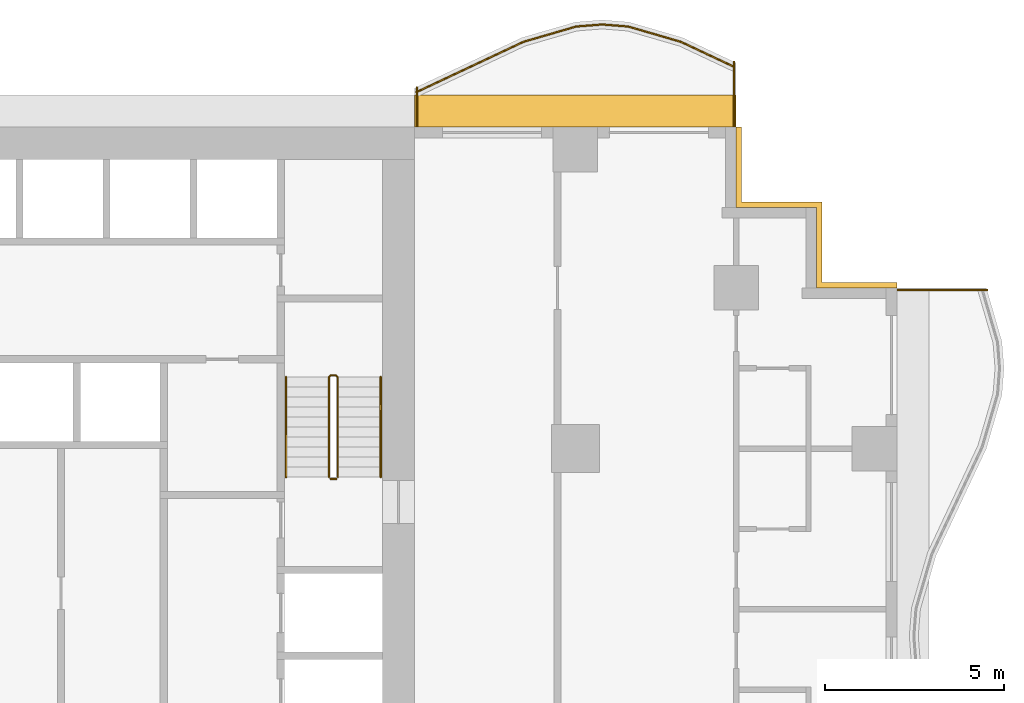
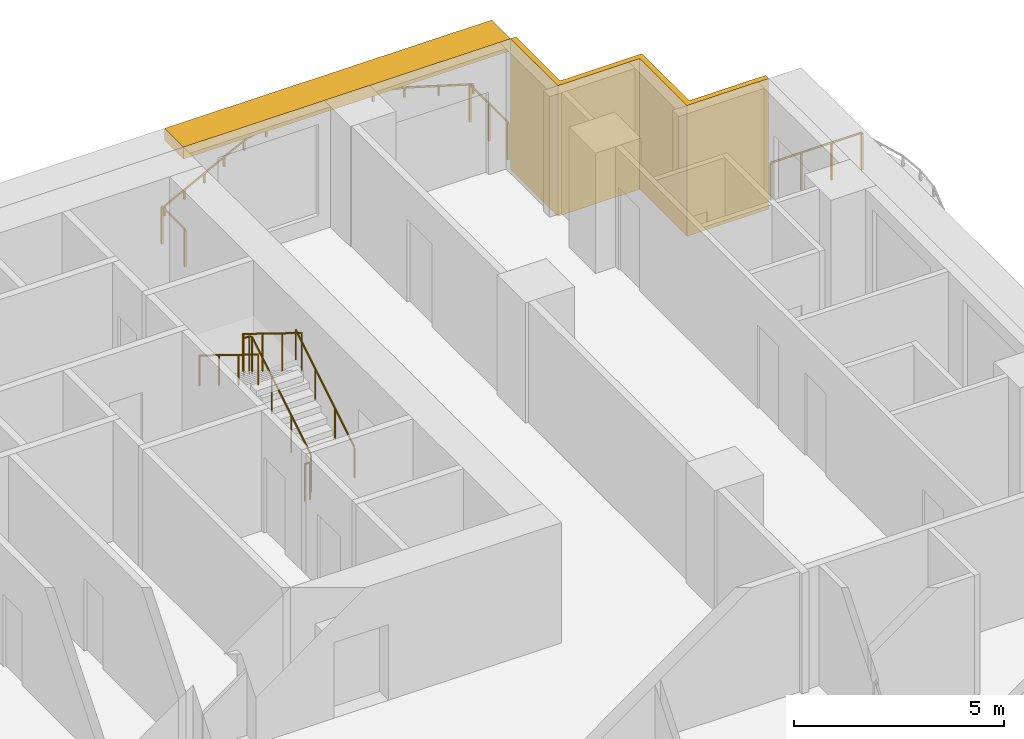
# One storey, part 14 of 14: 8 railings, 2 shading devices.
"""IFC4 building model written with IfcOpenShell, lengths in metres."""

from ifc_helpers import new_model, si_unit, direction, frame, origin, origin_2d, place, context, subcontext, project, spatial, polyline, rectangle, circle, outline, extrude, material, layer, layer_set, type_object, element, save


model = new_model("IFC4")

# Units and contexts
model_context = context("Model", 3, precision=1e-05, world=origin(), true_north=direction((0.0, 1.0)))
body_context = subcontext(model_context, "Body", "Model", "MODEL_VIEW")
ifc_project = project(units=[si_unit("LENGTHUNIT", "METRE"), si_unit("AREAUNIT", "SQUARE_METRE"), si_unit("VOLUMEUNIT", "CUBIC_METRE"), si_unit("PLANEANGLEUNIT", "RADIAN"), si_unit("MASSUNIT", "GRAM", prefix="KILO")], contexts=[model_context])

# Site, building, storey
site_placement = place(None, origin())
site = spatial("IfcSite", under=ifc_project, at=site_placement, CompositionType="ELEMENT")
building_placement = place(site_placement, origin())
building = spatial("IfcBuilding", under=site, at=building_placement, Name="Orbiselva Terraces", CompositionType="ELEMENT")
storey_placement = place(building_placement, frame((0.0, 0.0, 107.4)))
storey = spatial("IfcBuildingStorey", under=building, at=storey_placement, Name="L27", CompositionType="ELEMENT", Elevation=107.4)

# Railings
ifc_material_1 = material(Name="Stainless steel", Category="steel")
railing_type_1 = type_object("IfcRailingType", Name="CORE-GUARD-1100", PredefinedType="GUARDRAIL", material=ifc_material_1)
railing_1_placement = place(storey_placement, frame((11.35, 12.7, 0.172727)))
element("IfcRailing", 1, at=railing_1_placement, inside=storey, type_object=railing_type_1, Name="L27 S2 stair guard 1", PredefinedType="GUARDRAIL", context=body_context, shape_type="SweptSolid", body=[
    extrude(circle(Radius=0.024, at=origin_2d()), frame((0.0, 0.0, 1.081), z_axis=(0.0, 0.851088519012, 0.52502222125), x_axis=(-1.0, 0.0, 0.0)), (0.0, 0.0, 1.0), 3.289905),
    extrude(circle(Radius=0.024, at=origin_2d()), frame((0.0, 2.8, 2.808273), z_axis=(-0.707106781187, 0.707106781187, 0.0), x_axis=(-0.707106781187, -0.707106781187, 0.0)), (0.0, 0.0, 1.0), 0.070711),
    extrude(circle(Radius=0.024, at=origin_2d()), frame((-0.05, 2.85, 2.808273), z_axis=(-1.0, 0.0, 0.0), x_axis=(0.0, -1.0, 0.0)), (0.0, 0.0, 1.0), 0.15),
    extrude(circle(Radius=0.024, at=origin_2d()), frame((-0.2, 2.85, 2.808273), z_axis=(-0.267894925557, -0.267894925557, 0.925453736133), x_axis=(0.707106781187, -0.707106781187, 0.0)), (0.0, 0.0, 1.0), 0.18664),
    extrude(circle(Radius=0.024, at=origin_2d()), frame((-0.25, 2.8, 2.981), z_axis=(0.0, -0.851088519012, 0.52502222125), x_axis=(1.0, 0.0, 0.0)), (0.0, 0.0, 1.0), 3.289905),
    extrude(circle(Radius=0.021, at=origin_2d()), origin(), (0.0, 0.0, 1.0), 1.057),
    extrude(circle(Radius=0.021, at=origin_2d()), frame((0.0, 0.933333, 0.575758)), (0.0, 0.0, 1.0), 1.057),
    extrude(circle(Radius=0.021, at=origin_2d()), frame((0.0, 1.866667, 1.151515)), (0.0, 0.0, 1.0), 1.057),
    extrude(circle(Radius=0.021, at=origin_2d()), frame((0.0, 2.8, 1.727273)), (0.0, 0.0, 1.0), 1.057),
    extrude(circle(Radius=0.021, at=origin_2d()), frame((-0.05, 2.85, 1.727273)), (0.0, 0.0, 1.0), 1.057),
    extrude(circle(Radius=0.021, at=origin_2d()), frame((-0.2, 2.85, 1.727273)), (0.0, 0.0, 1.0), 1.057),
    extrude(circle(Radius=0.021, at=origin_2d()), frame((-0.25, 2.8, 1.9)), (0.0, 0.0, 1.0), 1.057),
    extrude(circle(Radius=0.021, at=origin_2d()), frame((-0.25, 1.866667, 2.475758)), (0.0, 0.0, 1.0), 1.057),
    extrude(circle(Radius=0.021, at=origin_2d()), frame((-0.25, 0.933333, 3.051515)), (0.0, 0.0, 1.0), 1.057),
    extrude(circle(Radius=0.021, at=origin_2d()), frame((-0.25, 0.0, 3.627273)), (0.0, 0.0, 1.0), 1.057),
])
railing_2_placement = place(storey_placement, frame((11.3, 12.65, 0.0)))
element("IfcRailing", 2, at=railing_2_placement, inside=storey, type_object=railing_type_1, Name="L27 S2 stair guard 2", PredefinedType="GUARDRAIL", context=body_context, shape_type="SweptSolid", body=[
    extrude(circle(Radius=0.024, at=origin_2d()), frame((0.0, 0.0, 1.081), z_axis=(-1.0, 0.0, 0.0), x_axis=(0.0, -1.0, 0.0)), (0.0, 0.0, 1.0), 0.15),
    extrude(circle(Radius=0.021, at=origin_2d()), origin(), (0.0, 0.0, 1.0), 1.057),
    extrude(circle(Radius=0.021, at=origin_2d()), frame((-0.15, 0.0, 0.0)), (0.0, 0.0, 1.0), 1.057),
])
railing_type_2 = type_object("IfcRailingType", Name="CORE-HANDRAIL-900", PredefinedType="HANDRAIL", material=ifc_material_1)
railing_3_placement = place(storey_placement, frame((12.55, 12.7, 0.172727)))
element("IfcRailing", 3, at=railing_3_placement, inside=storey, type_object=railing_type_2, Name="L27 S2 stair handrail 1", PredefinedType="HANDRAIL", context=body_context, shape_type="SweptSolid", body=[
    extrude(circle(Radius=0.024, at=origin_2d()), frame((0.0, 0.0, 0.876), z_axis=(0.0, 0.851088519012, 0.52502222125), x_axis=(-1.0, 0.0, 0.0)), (0.0, 0.0, 1.0), 3.289905),
    extrude(circle(Radius=0.021, at=origin_2d()), origin(), (0.0, 0.0, 1.0), 0.852),
    extrude(circle(Radius=0.021, at=origin_2d()), frame((0.0, 0.933333, 0.575758)), (0.0, 0.0, 1.0), 0.852),
    extrude(circle(Radius=0.021, at=origin_2d()), frame((0.0, 1.866667, 1.151515)), (0.0, 0.0, 1.0), 0.852),
    extrude(circle(Radius=0.021, at=origin_2d()), frame((0.0, 2.8, 1.727273)), (0.0, 0.0, 1.0), 0.852),
])
railing_4_placement = place(storey_placement, frame((9.9, 15.5, 2.072727)))
element("IfcRailing", 4, at=railing_4_placement, inside=storey, type_object=railing_type_2, Name="L27 S2 stair handrail 2", PredefinedType="HANDRAIL", context=body_context, shape_type="SweptSolid", body=[
    extrude(circle(Radius=0.024, at=origin_2d()), frame((0.0, 0.0, 0.876), z_axis=(0.0, -0.851088519012, 0.52502222125), x_axis=(1.0, 0.0, 0.0)), (0.0, 0.0, 1.0), 3.289905),
    extrude(circle(Radius=0.021, at=origin_2d()), origin(), (0.0, 0.0, 1.0), 0.852),
    extrude(circle(Radius=0.021, at=origin_2d()), frame((0.0, -0.933333, 0.575758)), (0.0, 0.0, 1.0), 0.852),
    extrude(circle(Radius=0.021, at=origin_2d()), frame((0.0, -1.866667, 1.151515)), (0.0, 0.0, 1.0), 0.852),
    extrude(circle(Radius=0.021, at=origin_2d()), frame((0.0, -2.8, 1.727273)), (0.0, 0.0, 1.0), 0.852),
])
ifc_material_2 = material(Name="Bonded two-ply safety glass balustrade, stainless steel posts", Category="steel")
railing_type_3 = type_object("IfcRailingType", Name="ENV-BALUSTRADE-1200", PredefinedType="BALUSTRADE", material=ifc_material_2)
railing_5_placement = place(storey_placement, frame((22.446809, 24.186882, 0.9)))
element("IfcRailing", 5, at=railing_5_placement, inside=storey, type_object=railing_type_3, Name="Balcony balustrade L27 NE", PredefinedType="BALUSTRADE", context=body_context, shape_type="SweptSolid", body=[
    extrude(outline(polyline([(0.028868, 0.0), (0.014434, 0.025), (-0.014434, 0.025), (-0.028868, 0.0), (-0.014434, -0.025), (0.014434, -0.025), (0.028868, 0.0)])), frame((0.0, 0.0, 0.275), z_axis=(-0.904944359461, 0.425529912322, 0.0), x_axis=(-0.425529912322, -0.904944359461, 0.0)), (0.0, 0.0, 1.0), 1.647746),
    extrude(outline(polyline([(0.028868, 0.0), (0.014434, 0.025), (-0.014434, 0.025), (-0.028868, 0.0), (-0.014434, -0.025), (0.014434, -0.025), (0.028868, 0.0)])), frame((-1.491118, 0.701165, 0.275), z_axis=(-0.960270317007, 0.279071528957, 0.0), x_axis=(-0.279071528957, -0.960270317007, 0.0)), (0.0, 0.0, 1.0), 1.539408),
    extrude(outline(polyline([(0.028868, 0.0), (0.014434, 0.025), (-0.014434, 0.025), (-0.028868, 0.0), (-0.014434, -0.025), (0.014434, -0.025), (0.028868, 0.0)])), frame((-2.969366, 1.13077, 0.275), z_axis=(-0.996947916106, 0.078069536776, 0.0), x_axis=(-0.078069536776, -0.996947916106, 0.0)), (0.0, 0.0, 1.0), 0.72967),
    extrude(outline(polyline([(0.028868, 0.0), (0.014434, 0.025), (-0.014434, 0.025), (-0.028868, 0.0), (-0.014434, -0.025), (0.014434, -0.025), (0.028868, 0.0)])), frame((-3.696809, 1.187735, 0.275), z_axis=(-0.996947916106, -0.078069536776, 0.0), x_axis=(0.078069536776, -0.996947916106, 0.0)), (0.0, 0.0, 1.0), 0.72967),
    extrude(outline(polyline([(0.028868, 0.0), (0.014434, 0.025), (-0.014434, 0.025), (-0.028868, 0.0), (-0.014434, -0.025), (0.014434, -0.025), (0.028868, 0.0)])), frame((-4.424252, 1.13077, 0.275), z_axis=(-0.960270317007, -0.279071528957, 0.0), x_axis=(0.279071528957, -0.960270317007, 0.0)), (0.0, 0.0, 1.0), 1.539408),
    extrude(outline(polyline([(0.028868, 0.0), (0.014434, 0.025), (-0.014434, 0.025), (-0.028868, 0.0), (-0.014434, -0.025), (0.014434, -0.025), (0.028868, 0.0)])), frame((-5.9025, 0.701165, 0.275), z_axis=(-0.904944359461, -0.425529912322, 0.0), x_axis=(0.425529912322, -0.904944359461, 0.0)), (0.0, 0.0, 1.0), 1.647746),
    extrude(outline(polyline([(0.028868, 0.0), (0.014434, 0.025), (-0.014434, 0.025), (-0.028868, 0.0), (-0.014434, -0.025), (0.014434, -0.025), (0.028868, 0.0)])), frame((-7.393618, 0.0, 0.275), z_axis=(-0.904944257823, -0.425530128467, 0.0), x_axis=(0.425530128467, -0.904944257823, 0.0)), (0.0, 0.0, 1.0), 1.657561),
    extrude(rectangle(XDim=0.05, YDim=0.05, at=origin_2d()), origin(), (0.0, 0.0, 1.0), 0.25),
    extrude(rectangle(XDim=0.05, YDim=0.05, at=origin_2d()), frame((-0.745559, 0.350582, 0.0)), (0.0, 0.0, 1.0), 0.25),
    extrude(rectangle(XDim=0.05, YDim=0.05, at=origin_2d()), frame((-1.491118, 0.701165, 0.0)), (0.0, 0.0, 1.0), 0.25),
    extrude(rectangle(XDim=0.05, YDim=0.05, at=origin_2d()), frame((-2.230242, 0.915967, 0.0)), (0.0, 0.0, 1.0), 0.25),
    extrude(rectangle(XDim=0.05, YDim=0.05, at=origin_2d()), frame((-2.969366, 1.13077, 0.0)), (0.0, 0.0, 1.0), 0.25),
    extrude(rectangle(XDim=0.05, YDim=0.05, at=origin_2d()), frame((-3.696809, 1.187735, 0.0)), (0.0, 0.0, 1.0), 0.25),
    extrude(rectangle(XDim=0.05, YDim=0.05, at=origin_2d()), frame((-4.424252, 1.13077, 0.0)), (0.0, 0.0, 1.0), 0.25),
    extrude(rectangle(XDim=0.05, YDim=0.05, at=origin_2d()), frame((-5.163376, 0.915967, 0.0)), (0.0, 0.0, 1.0), 0.25),
    extrude(rectangle(XDim=0.05, YDim=0.05, at=origin_2d()), frame((-5.9025, 0.701165, 0.0)), (0.0, 0.0, 1.0), 0.25),
    extrude(rectangle(XDim=0.05, YDim=0.05, at=origin_2d()), frame((-6.648059, 0.350582, 0.0)), (0.0, 0.0, 1.0), 0.25),
    extrude(rectangle(XDim=0.05, YDim=0.05, at=origin_2d()), frame((-7.393618, 0.0, 0.0)), (0.0, 0.0, 1.0), 0.25),
    extrude(rectangle(XDim=0.05, YDim=0.05, at=origin_2d()), frame((-8.143618, -0.352671, 0.0)), (0.0, 0.0, 1.0), 0.25),
    extrude(rectangle(XDim=0.05, YDim=0.05, at=origin_2d()), frame((-8.893618, -0.705342, 0.0)), (0.0, 0.0, 1.0), 0.25),
])
ifc_material_3 = material(Name="Stainless steel rail and posts", Category="steel")
railing_type_4 = type_object("IfcRailingType", Name="ENV-GUARD-1105", PredefinedType="BALUSTRADE", material=ifc_material_3)
railing_6_placement = place(storey_placement, frame((29.529516, 17.94, 0.0)))
element("IfcRailing", 6, at=railing_6_placement, inside=storey, type_object=railing_type_4, Name="Balcony end guard L27 E", PredefinedType="BALUSTRADE", context=body_context, shape_type="SweptSolid", body=[
    extrude(outline(polyline([(0.028868, 0.0), (0.014434, 0.025), (-0.014434, 0.025), (-0.028868, 0.0), (-0.014434, -0.025), (0.014434, -0.025), (0.028868, 0.0)])), frame((0.0, 0.0, 1.08), z_axis=(-1.0, 0.0, 0.0), x_axis=(0.0, -1.0, 0.0)), (0.0, 0.0, 1.0), 2.504516),
    extrude(rectangle(XDim=0.05, YDim=0.05, at=origin_2d()), origin(), (0.0, 0.0, 1.0), 1.055),
    extrude(rectangle(XDim=0.05, YDim=0.05, at=origin_2d()), frame((-0.834839, 0.0, 0.0)), (0.0, 0.0, 1.0), 1.055),
    extrude(rectangle(XDim=0.05, YDim=0.05, at=origin_2d()), frame((-1.669677, 0.0, 0.0)), (0.0, 0.0, 1.0), 1.055),
    extrude(rectangle(XDim=0.05, YDim=0.05, at=origin_2d()), frame((-2.504516, 0.0, 0.0)), (0.0, 0.0, 1.0), 1.055),
])
railing_7_placement = place(storey_placement, frame((22.44, 24.330156, 0.0)))
element("IfcRailing", 7, at=railing_7_placement, inside=storey, type_object=railing_type_4, Name="Balcony end guard L27 NE", PredefinedType="BALUSTRADE", context=body_context, shape_type="SweptSolid", body=[
    extrude(outline(polyline([(0.028868, 0.0), (0.014434, 0.025), (-0.014434, 0.025), (-0.028868, 0.0), (-0.014434, -0.025), (0.014434, -0.025), (0.028868, 0.0)])), frame((0.0, 0.0, 1.08), z_axis=(0.0, -1.0, 0.0), x_axis=(1.0, 0.0, 0.0)), (0.0, 0.0, 1.0), 1.805156),
    extrude(rectangle(XDim=0.05, YDim=0.05, at=origin_2d()), origin(), (0.0, 0.0, 1.0), 1.055),
    extrude(rectangle(XDim=0.05, YDim=0.05, at=origin_2d()), frame((0.0, -0.902578, 0.0)), (0.0, 0.0, 1.0), 1.055),
    extrude(rectangle(XDim=0.05, YDim=0.05, at=origin_2d()), frame((0.0, -1.805156, 0.0)), (0.0, 0.0, 1.0), 1.055),
])
railing_8_placement = place(storey_placement, frame((13.56, 23.619277, 0.0)))
element("IfcRailing", 8, at=railing_8_placement, inside=storey, type_object=railing_type_4, Name="Balcony end guard L27 NE", PredefinedType="BALUSTRADE", context=body_context, shape_type="SweptSolid", body=[
    extrude(outline(polyline([(0.028868, 0.0), (0.014434, 0.025), (-0.014434, 0.025), (-0.028868, 0.0), (-0.014434, -0.025), (0.014434, -0.025), (0.028868, 0.0)])), frame((0.0, 0.0, 1.08), z_axis=(0.0, -1.0, 0.0), x_axis=(1.0, 0.0, 0.0)), (0.0, 0.0, 1.0), 1.094277),
    extrude(rectangle(XDim=0.05, YDim=0.05, at=origin_2d()), origin(), (0.0, 0.0, 1.0), 1.055),
    extrude(rectangle(XDim=0.05, YDim=0.05, at=origin_2d()), frame((0.0, -1.094277, 0.0)), (0.0, 0.0, 1.0), 1.055),
])

# Shading devices
ifc_material_4 = material(Name="Terracotta louvre screen", Category="masonry")
ifc_layer_1 = layer(ifc_material_4, 0.15)
ifc_layer_set_1 = layer_set([ifc_layer_1], Name="Terracotta louvre screen")
shading_device_type_1 = type_object("IfcShadingDeviceType", Name="ENV-SCREEN-150", PredefinedType="USERDEFINED", material=ifc_layer_set_1)
shading_device_1_placement = place(storey_placement, frame((0.0, 0.0, -0.3)))
element("IfcShadingDevice", 9, at=shading_device_1_placement, inside=storey, type_object=shading_device_type_1, Name="Louvre screen L27 NE", ObjectType="SCREEN", PredefinedType="USERDEFINED", context=body_context, shape_type="SweptSolid", body=[
    extrude(outline(polyline([(27.0, 18.15), (24.9, 18.15), (24.9, 20.4), (22.65, 20.4), (22.65, 22.5), (22.5, 22.5), (22.5, 20.25), (24.75, 20.25), (24.75, 18.0), (27.0, 18.0), (27.0, 18.15)])), origin(), (0.0, 0.0, 1.0), 3.8),
])
ifc_material_5 = material(Name="Terracotta baguette sunshade", Category="masonry")
ifc_layer_2 = layer(ifc_material_5, 0.35)
ifc_layer_set_2 = layer_set([ifc_layer_2], Name="Terracotta baguette sunshade")
shading_device_type_2 = type_object("IfcShadingDeviceType", Name="ENV-SUNSHADE-900x350", PredefinedType="USERDEFINED", material=ifc_layer_set_2)
shading_device_2_placement = place(storey_placement, frame((0.0, 0.0, 3.15)))
element("IfcShadingDevice", 10, at=shading_device_2_placement, inside=storey, type_object=shading_device_type_2, Name="Sunshade band L27 NE", ObjectType="SUNSHADE", PredefinedType="USERDEFINED", context=body_context, shape_type="SweptSolid", body=[
    extrude(outline(polyline([(22.5, 23.4), (13.5, 23.4), (13.5, 22.5), (22.5, 22.5), (22.5, 23.4)])), origin(), (0.0, 0.0, 1.0), 0.35),
])

save(model, "model.ifc")
